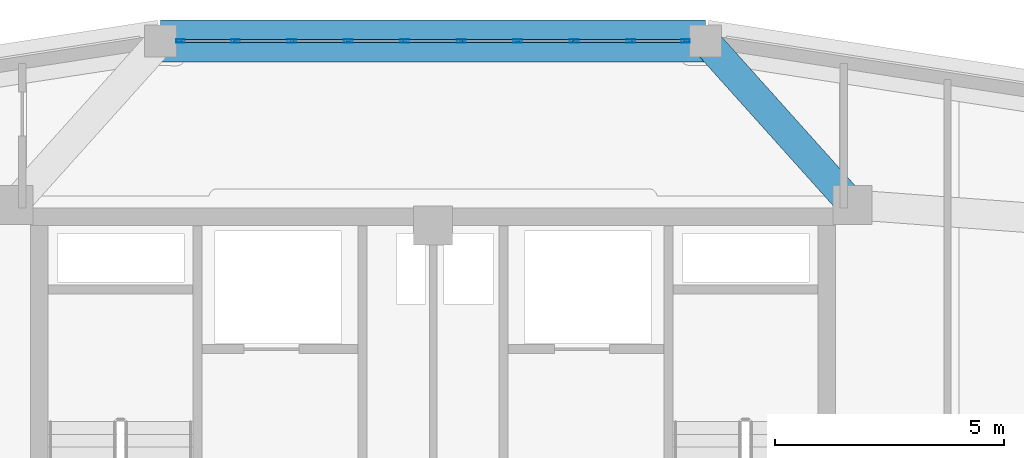
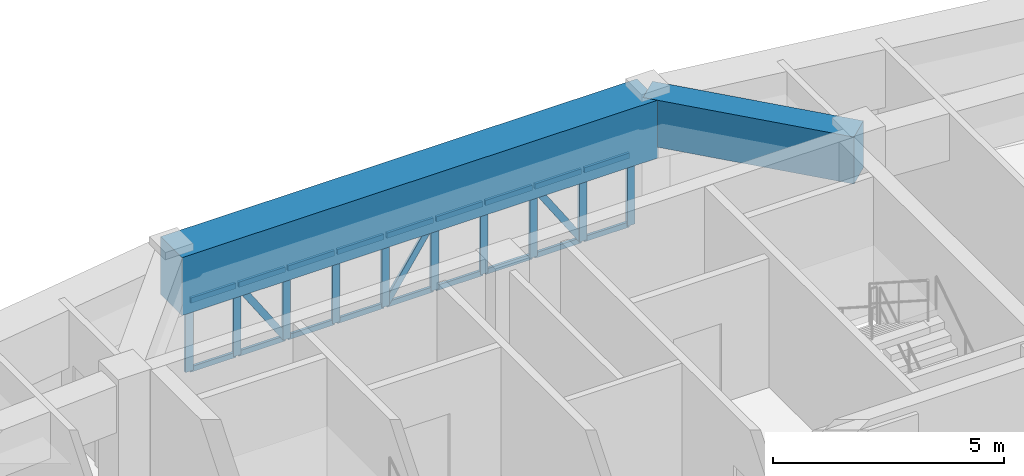
# One storey, part 9 of 14: 31 members, 2 beams, 1 element without a shape of its own.
"""IFC4 building model written with IfcOpenShell, lengths in metres."""

from ifc_helpers import new_model, si_unit, derived_unit, direction, frame, origin, origin_2d, place, context, subcontext, project, spatial, rectangle, hollow_rectangle, extrude, source, transform, mapped, material, layer, layer_set, material_profile, profile_set, type_object, element, aggregate, save


model = new_model("IFC4")

# Units and contexts
model_context = context("Model", 3, precision=1e-05, world=origin(), true_north=direction((0.0, 1.0)))
body_context = subcontext(model_context, "Body", "Model", "MODEL_VIEW")
ifc_project = project(units=[si_unit("LENGTHUNIT", "METRE"), si_unit("AREAUNIT", "SQUARE_METRE"), si_unit("VOLUMEUNIT", "CUBIC_METRE"), si_unit("PLANEANGLEUNIT", "RADIAN"), si_unit("MASSUNIT", "GRAM", prefix="KILO"), derived_unit("THERMALTRANSMITTANCEUNIT", [(si_unit("POWERUNIT", "WATT"), 1), (si_unit("LENGTHUNIT", "METRE"), -2), (si_unit("THERMODYNAMICTEMPERATUREUNIT", "KELVIN"), -1)])], contexts=[model_context])

# Site, building, storey
site_placement = place(None, origin())
site = spatial("IfcSite", under=ifc_project, at=site_placement, CompositionType="ELEMENT")
building_placement = place(site_placement, origin())
building = spatial("IfcBuilding", under=site, at=building_placement, Name="Korsvarv Bourse and Concert Hall", CompositionType="ELEMENT")
storey_placement = place(building_placement, frame((0.0, 0.0, 257.39990234375)))
storey = spatial("IfcBuildingStorey", under=building, at=storey_placement, Name="L67", CompositionType="ELEMENT", Elevation=257.39990234375)

# Beams
ifc_material_1 = material(Name="Concrete C50/60", Category="concrete")
ifc_material_profile_1 = material_profile(ifc_material_1, rectangle(XDim=0.919921875, YDim=1.530029296875, at=origin_2d()), Name="RC-BM 920x1530")
ifc_profile_set_1 = profile_set([ifc_material_profile_1], Name="Concrete C50/60")
beam_type_1 = type_object("IfcBeamType", Name="BM-TR-154", PredefinedType="BEAM", material=ifc_profile_set_1)
shared_shape_1 = source(origin(), body_context, "Body", "SweptSolid", [
    extrude(rectangle(XDim=0.919921875, YDim=1.530029296875, at=origin_2d()), origin(), (0.0, 0.0, 1.0), 11.8916015625),
])
beam_1_placement = place(storey_placement, frame((41.94580078125, 50.82275390625, 2.64501953125), z_axis=(-1.0, 0.0, 0.0), x_axis=(0.0, -1.0, 0.0)))
element("IfcBeam", 1, at=beam_1_placement, inside=storey, type_object=beam_type_1, Name="L67 beam B-TR6", PredefinedType="BEAM", context=body_context, shape_type="MappedRepresentation", body=[
    mapped(shared_shape_1, transform((0.0, 0.0, 0.0), scale=1.0)),
])
ifc_material_profile_2 = material_profile(ifc_material_1, rectangle(XDim=0.64990234375, YDim=1.239990234375, at=origin_2d()), Name="RC-BM 650x1240")
ifc_profile_set_2 = profile_set([ifc_material_profile_2], Name="Concrete C50/60")
beam_type_2 = type_object("IfcBeamType", Name="BM-TR-SPN", PredefinedType="BEAM", material=ifc_profile_set_2)
shared_shape_2 = source(origin(), body_context, "Body", "SweptSolid", [
    extrude(rectangle(XDim=0.64990234375, YDim=1.239990234375, at=origin_2d()), origin(), (0.0, 0.0, 1.0), 4.799072265625),
])
beam_2_placement = place(storey_placement, frame((41.94580078125, 50.82275390625, 2.7900390625), z_axis=(0.667653930614, -0.744471778468, 0.0), x_axis=(0.744471778468, 0.667653930614, 0.0)))
element("IfcBeam", 2, at=beam_2_placement, inside=storey, type_object=beam_type_2, Name="L67 beam B-TRS", PredefinedType="BEAM", context=body_context, shape_type="MappedRepresentation", body=[
    mapped(shared_shape_2, transform((0.0, 0.0, 0.0), scale=1.0)),
])

# Curtain wall, members
ifc_material_2 = material(Name="Anodised aluminium and triple low-E glazing", Category="glass")
ifc_layer = layer(ifc_material_2, 0.199951171875)
ifc_layer_set = layer_set([ifc_layer], Name="Anodised aluminium and triple low-E glazing")
curtain_wall_type = type_object("IfcCurtainWallType", Name="CW-SYS-3", PredefinedType="NOTDEFINED", material=ifc_layer_set)
curtain_wall_placement = place(storey_placement, origin())
curtain_wall = element("IfcCurtainWall", 3, at=curtain_wall_placement, inside=storey, type_object=curtain_wall_type, Name="L67 CW3 curtain wall CW-L67-F03", PredefinedType="NOTDEFINED")
ifc_material_3 = material(Name="Extruded aluminium EN AW-6063 T66", Category="aluminium")
ifc_material_profile_3 = material_profile(ifc_material_3, hollow_rectangle(XDim=0.070068359375, YDim=0.18994140625, WallThickness=0.0048828125, at=origin_2d()), Name="ALU-M 70x190")
ifc_profile_set_3 = profile_set([ifc_material_profile_3], Name="Extruded aluminium EN AW-6063 T66")
member_type_1 = type_object("IfcMemberType", Name="CWM-190", PredefinedType="MULLION", material=ifc_profile_set_3)
shared_shape_3 = source(origin(), body_context, "Body", "SweptSolid", [
    extrude(hollow_rectangle(XDim=0.070068359375, YDim=0.18994140625, WallThickness=0.0048828125, at=origin_2d()), origin(), (0.0, 0.0, 1.0), 1.880126953125),
])
member_1_placement = place(storey_placement, frame((41.5107421875, 50.82275390625, 0.0), z_axis=(0.0, 0.0, 1.0), x_axis=(0.0, -1.0, 0.0)))
member_1 = element("IfcMember", 4, at=member_1_placement, type_object=member_type_1, Name="CW3 mullion 1", PredefinedType="MULLION", context=body_context, shape_type="MappedRepresentation", body=[
    mapped(shared_shape_3, transform((0.0, 0.0, 0.0), scale=1.0)),
])
member_2_placement = place(storey_placement, frame((40.313232421875, 50.82275390625, 0.0), z_axis=(0.0, 0.0, 1.0), x_axis=(0.0, -1.0, 0.0)))
member_2 = element("IfcMember", 5, at=member_2_placement, type_object=member_type_1, Name="CW3 mullion 2", PredefinedType="MULLION", context=body_context, shape_type="MappedRepresentation", body=[
    mapped(shared_shape_3, transform((0.0, 0.0, 0.0), scale=1.0)),
])
member_3_placement = place(storey_placement, frame((39.0810546875, 50.82275390625, 0.0), z_axis=(0.0, 0.0, 1.0), x_axis=(0.0, -1.0, 0.0)))
member_3 = element("IfcMember", 6, at=member_3_placement, type_object=member_type_1, Name="CW3 mullion 3", PredefinedType="MULLION", context=body_context, shape_type="MappedRepresentation", body=[
    mapped(shared_shape_3, transform((0.0, 0.0, 0.0), scale=1.0)),
])
member_4_placement = place(storey_placement, frame((37.8486328125, 50.82275390625, 0.0), z_axis=(0.0, 0.0, 1.0), x_axis=(0.0, -1.0, 0.0)))
member_4 = element("IfcMember", 7, at=member_4_placement, type_object=member_type_1, Name="CW3 mullion 4", PredefinedType="MULLION", context=body_context, shape_type="MappedRepresentation", body=[
    mapped(shared_shape_3, transform((0.0, 0.0, 0.0), scale=1.0)),
])
member_5_placement = place(storey_placement, frame((36.6162109375, 50.82275390625, 0.0), z_axis=(0.0, 0.0, 1.0), x_axis=(0.0, -1.0, 0.0)))
member_5 = element("IfcMember", 8, at=member_5_placement, type_object=member_type_1, Name="CW3 mullion 5", PredefinedType="MULLION", context=body_context, shape_type="MappedRepresentation", body=[
    mapped(shared_shape_3, transform((0.0, 0.0, 0.0), scale=1.0)),
])
member_6_placement = place(storey_placement, frame((35.3837890625, 50.82275390625, 0.0), z_axis=(0.0, 0.0, 1.0), x_axis=(0.0, -1.0, 0.0)))
member_6 = element("IfcMember", 9, at=member_6_placement, type_object=member_type_1, Name="CW3 mullion 6", PredefinedType="MULLION", context=body_context, shape_type="MappedRepresentation", body=[
    mapped(shared_shape_3, transform((0.0, 0.0, 0.0), scale=1.0)),
])
member_7_placement = place(storey_placement, frame((34.1513671875, 50.82275390625, 0.0), z_axis=(0.0, 0.0, 1.0), x_axis=(0.0, -1.0, 0.0)))
member_7 = element("IfcMember", 10, at=member_7_placement, type_object=member_type_1, Name="CW3 mullion 7", PredefinedType="MULLION", context=body_context, shape_type="MappedRepresentation", body=[
    mapped(shared_shape_3, transform((0.0, 0.0, 0.0), scale=1.0)),
])
member_8_placement = place(storey_placement, frame((32.9189453125, 50.82275390625, 0.0), z_axis=(0.0, 0.0, 1.0), x_axis=(0.0, -1.0, 0.0)))
member_8 = element("IfcMember", 11, at=member_8_placement, type_object=member_type_1, Name="CW3 mullion 8", PredefinedType="MULLION", context=body_context, shape_type="MappedRepresentation", body=[
    mapped(shared_shape_3, transform((0.0, 0.0, 0.0), scale=1.0)),
])
member_9_placement = place(storey_placement, frame((31.686767578125, 50.82275390625, 0.0), z_axis=(0.0, 0.0, 1.0), x_axis=(0.0, -1.0, 0.0)))
member_9 = element("IfcMember", 12, at=member_9_placement, type_object=member_type_1, Name="CW3 mullion 9", PredefinedType="MULLION", context=body_context, shape_type="MappedRepresentation", body=[
    mapped(shared_shape_3, transform((0.0, 0.0, 0.0), scale=1.0)),
])
member_10_placement = place(storey_placement, frame((30.4892578125, 50.82275390625, 0.0), z_axis=(0.0, 0.0, 1.0), x_axis=(0.0, -1.0, 0.0)))
member_10 = element("IfcMember", 13, at=member_10_placement, type_object=member_type_1, Name="CW3 mullion 10", PredefinedType="MULLION", context=body_context, shape_type="MappedRepresentation", body=[
    mapped(shared_shape_3, transform((0.0, 0.0, 0.0), scale=1.0)),
])
ifc_material_profile_4 = material_profile(ifc_material_3, hollow_rectangle(XDim=0.06494140625, YDim=0.139892578125, WallThickness=0.00390625, at=origin_2d()), Name="ALU-T 65x140")
ifc_profile_set_4 = profile_set([ifc_material_profile_4], Name="Extruded aluminium EN AW-6063 T66")
member_type_2 = type_object("IfcMemberType", Name="CWT-140", PredefinedType="USERDEFINED", material=ifc_profile_set_4)
shared_shape_4 = source(origin(), body_context, "Body", "SweptSolid", [
    extrude(hollow_rectangle(XDim=0.06494140625, YDim=0.139892578125, WallThickness=0.00390625, at=origin_2d()), origin(), (0.0, 0.0, 1.0), 1.127197265625),
])
member_11_placement = place(storey_placement, frame((41.4755859375, 50.82275390625, 0.03271484375), z_axis=(-1.0, 0.0, 0.0), x_axis=(0.0, -1.0, 0.0)))
member_11 = element("IfcMember", 14, at=member_11_placement, type_object=member_type_2, Name="CW3 transom 1.1", ObjectType="TRANSOM", PredefinedType="USERDEFINED", context=body_context, shape_type="MappedRepresentation", body=[
    mapped(shared_shape_4, transform((0.0, 0.0, 0.0), scale=1.0)),
])
member_12_placement = place(storey_placement, frame((41.4755859375, 50.82275390625, 1.84765625), z_axis=(-1.0, 0.0, 0.0), x_axis=(0.0, -1.0, 0.0)))
member_12 = element("IfcMember", 15, at=member_12_placement, type_object=member_type_2, Name="CW3 transom 1.2", ObjectType="TRANSOM", PredefinedType="USERDEFINED", context=body_context, shape_type="MappedRepresentation", body=[
    mapped(shared_shape_4, transform((0.0, 0.0, 0.0), scale=1.0)),
])
member_13_placement = place(storey_placement, frame((31.651611328125, 50.82275390625, 0.03271484375), z_axis=(-1.0, 0.0, 0.0), x_axis=(0.0, -1.0, 0.0)))
member_13 = element("IfcMember", 16, at=member_13_placement, type_object=member_type_2, Name="CW3 transom 9.1", ObjectType="TRANSOM", PredefinedType="USERDEFINED", context=body_context, shape_type="MappedRepresentation", body=[
    mapped(shared_shape_4, transform((0.0, 0.0, 0.0), scale=1.0)),
])
member_14_placement = place(storey_placement, frame((31.651611328125, 50.82275390625, 1.84765625), z_axis=(-1.0, 0.0, 0.0), x_axis=(0.0, -1.0, 0.0)))
member_14 = element("IfcMember", 17, at=member_14_placement, type_object=member_type_2, Name="CW3 transom 9.2", ObjectType="TRANSOM", PredefinedType="USERDEFINED", context=body_context, shape_type="MappedRepresentation", body=[
    mapped(shared_shape_4, transform((0.0, 0.0, 0.0), scale=1.0)),
])
shared_shape_5 = source(origin(), body_context, "Body", "SweptSolid", [
    extrude(hollow_rectangle(XDim=0.06494140625, YDim=0.139892578125, WallThickness=0.00390625, at=origin_2d()), origin(), (0.0, 0.0, 1.0), 1.162353515625),
])
member_15_placement = place(storey_placement, frame((40.2783203125, 50.82275390625, 0.03271484375), z_axis=(-1.0, 0.0, 0.0), x_axis=(0.0, -1.0, 0.0)))
member_15 = element("IfcMember", 18, at=member_15_placement, type_object=member_type_2, Name="CW3 transom 2.1", ObjectType="TRANSOM", PredefinedType="USERDEFINED", context=body_context, shape_type="MappedRepresentation", body=[
    mapped(shared_shape_5, transform((0.0, 0.0, 0.0), scale=1.0)),
])
member_16_placement = place(storey_placement, frame((40.2783203125, 50.82275390625, 1.84765625), z_axis=(-1.0, 0.0, 0.0), x_axis=(0.0, -1.0, 0.0)))
member_16 = element("IfcMember", 19, at=member_16_placement, type_object=member_type_2, Name="CW3 transom 2.2", ObjectType="TRANSOM", PredefinedType="USERDEFINED", context=body_context, shape_type="MappedRepresentation", body=[
    mapped(shared_shape_5, transform((0.0, 0.0, 0.0), scale=1.0)),
])
member_17_placement = place(storey_placement, frame((39.0458984375, 50.82275390625, 0.03271484375), z_axis=(-1.0, 0.0, 0.0), x_axis=(0.0, -1.0, 0.0)))
member_17 = element("IfcMember", 20, at=member_17_placement, type_object=member_type_2, Name="CW3 transom 3.1", ObjectType="TRANSOM", PredefinedType="USERDEFINED", context=body_context, shape_type="MappedRepresentation", body=[
    mapped(shared_shape_5, transform((0.0, 0.0, 0.0), scale=1.0)),
])
member_18_placement = place(storey_placement, frame((39.0458984375, 50.82275390625, 1.84765625), z_axis=(-1.0, 0.0, 0.0), x_axis=(0.0, -1.0, 0.0)))
member_18 = element("IfcMember", 21, at=member_18_placement, type_object=member_type_2, Name="CW3 transom 3.2", ObjectType="TRANSOM", PredefinedType="USERDEFINED", context=body_context, shape_type="MappedRepresentation", body=[
    mapped(shared_shape_5, transform((0.0, 0.0, 0.0), scale=1.0)),
])
member_19_placement = place(storey_placement, frame((37.8134765625, 50.82275390625, 0.03271484375), z_axis=(-1.0, 0.0, 0.0), x_axis=(0.0, -1.0, 0.0)))
member_19 = element("IfcMember", 22, at=member_19_placement, type_object=member_type_2, Name="CW3 transom 4.1", ObjectType="TRANSOM", PredefinedType="USERDEFINED", context=body_context, shape_type="MappedRepresentation", body=[
    mapped(shared_shape_5, transform((0.0, 0.0, 0.0), scale=1.0)),
])
member_20_placement = place(storey_placement, frame((37.8134765625, 50.82275390625, 1.84765625), z_axis=(-1.0, 0.0, 0.0), x_axis=(0.0, -1.0, 0.0)))
member_20 = element("IfcMember", 23, at=member_20_placement, type_object=member_type_2, Name="CW3 transom 4.2", ObjectType="TRANSOM", PredefinedType="USERDEFINED", context=body_context, shape_type="MappedRepresentation", body=[
    mapped(shared_shape_5, transform((0.0, 0.0, 0.0), scale=1.0)),
])
member_21_placement = place(storey_placement, frame((35.348876953125, 50.82275390625, 0.03271484375), z_axis=(-1.0, 0.0, 0.0), x_axis=(0.0, -1.0, 0.0)))
member_21 = element("IfcMember", 24, at=member_21_placement, type_object=member_type_2, Name="CW3 transom 6.1", ObjectType="TRANSOM", PredefinedType="USERDEFINED", context=body_context, shape_type="MappedRepresentation", body=[
    mapped(shared_shape_5, transform((0.0, 0.0, 0.0), scale=1.0)),
])
member_22_placement = place(storey_placement, frame((35.348876953125, 50.82275390625, 1.84765625), z_axis=(-1.0, 0.0, 0.0), x_axis=(0.0, -1.0, 0.0)))
member_22 = element("IfcMember", 25, at=member_22_placement, type_object=member_type_2, Name="CW3 transom 6.2", ObjectType="TRANSOM", PredefinedType="USERDEFINED", context=body_context, shape_type="MappedRepresentation", body=[
    mapped(shared_shape_5, transform((0.0, 0.0, 0.0), scale=1.0)),
])
member_23_placement = place(storey_placement, frame((34.116455078125, 50.82275390625, 0.03271484375), z_axis=(-1.0, 0.0, 0.0), x_axis=(0.0, -1.0, 0.0)))
member_23 = element("IfcMember", 26, at=member_23_placement, type_object=member_type_2, Name="CW3 transom 7.1", ObjectType="TRANSOM", PredefinedType="USERDEFINED", context=body_context, shape_type="MappedRepresentation", body=[
    mapped(shared_shape_5, transform((0.0, 0.0, 0.0), scale=1.0)),
])
member_24_placement = place(storey_placement, frame((34.116455078125, 50.82275390625, 1.84765625), z_axis=(-1.0, 0.0, 0.0), x_axis=(0.0, -1.0, 0.0)))
member_24 = element("IfcMember", 27, at=member_24_placement, type_object=member_type_2, Name="CW3 transom 7.2", ObjectType="TRANSOM", PredefinedType="USERDEFINED", context=body_context, shape_type="MappedRepresentation", body=[
    mapped(shared_shape_5, transform((0.0, 0.0, 0.0), scale=1.0)),
])
member_25_placement = place(storey_placement, frame((32.884033203125, 50.82275390625, 0.03271484375), z_axis=(-1.0, 0.0, 0.0), x_axis=(0.0, -1.0, 0.0)))
member_25 = element("IfcMember", 28, at=member_25_placement, type_object=member_type_2, Name="CW3 transom 8.1", ObjectType="TRANSOM", PredefinedType="USERDEFINED", context=body_context, shape_type="MappedRepresentation", body=[
    mapped(shared_shape_5, transform((0.0, 0.0, 0.0), scale=1.0)),
])
member_26_placement = place(storey_placement, frame((32.884033203125, 50.82275390625, 1.84765625), z_axis=(-1.0, 0.0, 0.0), x_axis=(0.0, -1.0, 0.0)))
member_26 = element("IfcMember", 29, at=member_26_placement, type_object=member_type_2, Name="CW3 transom 8.2", ObjectType="TRANSOM", PredefinedType="USERDEFINED", context=body_context, shape_type="MappedRepresentation", body=[
    mapped(shared_shape_5, transform((0.0, 0.0, 0.0), scale=1.0)),
])
ifc_material_profile_5 = material_profile(ifc_material_3, hollow_rectangle(XDim=0.06494140625, YDim=0.1650390625, WallThickness=0.0048828125, at=origin_2d()), Name="ALU-M 65x165")
ifc_profile_set_5 = profile_set([ifc_material_profile_5], Name="Extruded aluminium EN AW-6063 T66")
member_type_3 = type_object("IfcMemberType", Name="CWM-165", PredefinedType="MULLION", material=ifc_profile_set_5)
shared_shape_6 = source(origin(), body_context, "Body", "SweptSolid", [
    extrude(hollow_rectangle(XDim=0.06494140625, YDim=0.1650390625, WallThickness=0.0048828125, at=origin_2d()), origin(), (0.0, 0.0, 1.0), 2.100830078125),
])
member_27_placement = place(storey_placement, frame((40.2783203125, 50.82275390625, 0.065185546875), z_axis=(-0.553278043462, 0.0, 0.832996642624), x_axis=(0.0, -1.0, 0.0)))
member_27 = element("IfcMember", 30, at=member_27_placement, type_object=member_type_3, Name="CW3 diagonal mullion 2", PredefinedType="MULLION", context=body_context, shape_type="MappedRepresentation", body=[
    mapped(shared_shape_6, transform((0.0, 0.0, 0.0), scale=1.0)),
])
member_28_placement = place(storey_placement, frame((32.884033203125, 50.82275390625, 0.065185546875), z_axis=(-0.553278043462, 0.0, 0.832996642624), x_axis=(0.0, -1.0, 0.0)))
member_28 = element("IfcMember", 31, at=member_28_placement, type_object=member_type_3, Name="CW3 diagonal mullion 8", PredefinedType="MULLION", context=body_context, shape_type="MappedRepresentation", body=[
    mapped(shared_shape_6, transform((0.0, 0.0, 0.0), scale=1.0)),
])
shared_shape_7 = source(origin(), body_context, "Body", "SweptSolid", [
    extrude(hollow_rectangle(XDim=0.06494140625, YDim=0.139892578125, WallThickness=0.00390625, at=origin_2d()), origin(), (0.0, 0.0, 1.0), 1.16259765625),
])
member_29_placement = place(storey_placement, frame((36.581298828125, 50.82275390625, 0.03271484375), z_axis=(-1.0, 0.0, 0.0), x_axis=(0.0, -1.0, 0.0)))
member_29 = element("IfcMember", 32, at=member_29_placement, type_object=member_type_2, Name="CW3 transom 5.1", ObjectType="TRANSOM", PredefinedType="USERDEFINED", context=body_context, shape_type="MappedRepresentation", body=[
    mapped(shared_shape_7, transform((0.0, 0.0, 0.0), scale=1.0)),
])
member_30_placement = place(storey_placement, frame((36.581298828125, 50.82275390625, 1.84765625), z_axis=(-1.0, 0.0, 0.0), x_axis=(0.0, -1.0, 0.0)))
member_30 = element("IfcMember", 33, at=member_30_placement, type_object=member_type_2, Name="CW3 transom 5.2", ObjectType="TRANSOM", PredefinedType="USERDEFINED", context=body_context, shape_type="MappedRepresentation", body=[
    mapped(shared_shape_7, transform((0.0, 0.0, 0.0), scale=1.0)),
])
shared_shape_8 = source(origin(), body_context, "Body", "SweptSolid", [
    extrude(hollow_rectangle(XDim=0.06494140625, YDim=0.1650390625, WallThickness=0.0048828125, at=origin_2d()), origin(), (0.0, 0.0, 1.0), 2.10107421875),
])
member_31_placement = place(storey_placement, frame((35.418701171875, 50.82275390625, 0.065185546875), z_axis=(0.553358672201, 0.0, 0.832943083229), x_axis=(0.0, 1.0, 0.0)))
member_31 = element("IfcMember", 34, at=member_31_placement, type_object=member_type_3, Name="CW3 diagonal mullion 5", PredefinedType="MULLION", context=body_context, shape_type="MappedRepresentation", body=[
    mapped(shared_shape_8, transform((0.0, 0.0, 0.0), scale=1.0)),
])
aggregate(curtain_wall, [member_1, member_2, member_3, member_4, member_5, member_6, member_7, member_8, member_9, member_10, member_11, member_12, member_15, member_16, member_27, member_17, member_18, member_19, member_20, member_29, member_30, member_31, member_21, member_22, member_23, member_24, member_25, member_26, member_28, member_13, member_14])

save(model, "model.ifc")
